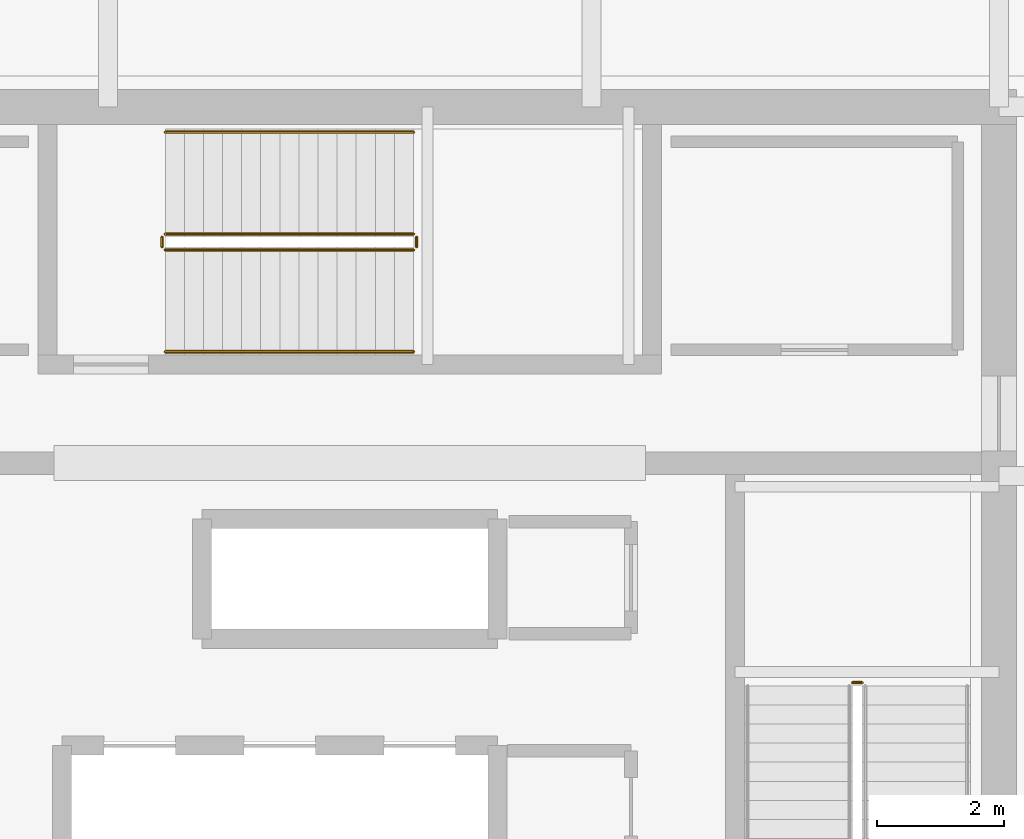
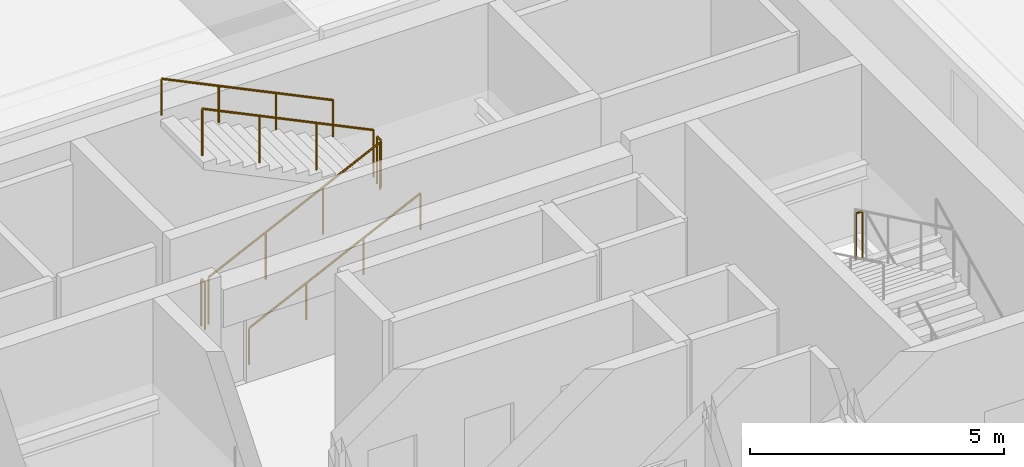
# One storey, part 45 of 51: 7 railings.
"""IFC4 building model written with IfcOpenShell, lengths in metres."""

from ifc_helpers import new_model, si_unit, direction, frame, origin, origin_2d, place, context, subcontext, project, spatial, circle, extrude, material, type_object, element, save


model = new_model("IFC4")

# Units and contexts
model_context = context("Model", 3, precision=1e-05, world=origin(), true_north=direction((0.0, 1.0)))
body_context = subcontext(model_context, "Body", "Model", "MODEL_VIEW")
ifc_project = project(units=[si_unit("LENGTHUNIT", "METRE"), si_unit("AREAUNIT", "SQUARE_METRE"), si_unit("VOLUMEUNIT", "CUBIC_METRE"), si_unit("PLANEANGLEUNIT", "RADIAN"), si_unit("MASSUNIT", "GRAM", prefix="KILO")], contexts=[model_context])

# Site, building, storey
site_placement = place(None, origin())
site = spatial("IfcSite", under=ifc_project, at=site_placement, CompositionType="ELEMENT")
building_placement = place(site_placement, origin())
building = spatial("IfcBuilding", under=site, at=building_placement, Name="Punatoya Terracotta Tower", CompositionType="ELEMENT")
storey_placement = place(building_placement, frame((0.0, 0.0, 279.75)))
storey = spatial("IfcBuildingStorey", under=building, at=storey_placement, Name="L66", CompositionType="ELEMENT", Elevation=279.75)

# Railings
ifc_material = material(Name="Steel S355", Category="steel")
railing_type_1 = type_object("IfcRailingType", Name="RLG-GRD-1150", PredefinedType="GUARDRAIL", material=ifc_material)
railing_1_placement = place(storey_placement, frame((8.050048828125, 0.14990234375, 2.02490234375)))
element("IfcRailing", 1, at=railing_1_placement, inside=storey, type_object=railing_type_1, Name="L66 ST-2 stair guard 2", PredefinedType="GUARDRAIL", context=body_context, shape_type="SweptSolid", body=[
    extrude(circle(Radius=0.02392578125, at=origin_2d()), frame((0.0, 0.0, 1.1259765625), z_axis=(-1.0, 0.0, 0.0), x_axis=(0.0, -1.0, 0.0)), (0.0, 0.0, 1.0), 0.150146484375),
    extrude(circle(Radius=0.02099609375, at=origin_2d()), origin(), (0.0, 0.0, 1.0), 1.101806640625),
    extrude(circle(Radius=0.02099609375, at=origin_2d()), frame((-0.150146484375, 0.0, 0.0)), (0.0, 0.0, 1.0), 1.101806640625),
])
railing_2_placement = place(storey_placement, frame((-2.89990234375, 6.949951171875, 0.14453125)))
element("IfcRailing", 2, at=railing_2_placement, inside=storey, type_object=railing_type_1, Name="L66 ST-3 stair guard 1", PredefinedType="GUARDRAIL", context=body_context, shape_type="SweptSolid", body=[
    extrude(circle(Radius=0.02392578125, at=origin_2d()), frame((0.0, 0.0, 1.1259765625), z_axis=(0.900763166376, 0.0, 0.434310623978), x_axis=(0.0, 1.0, 0.0)), (0.0, 0.0, 1.0), 4.32958984375),
    extrude(circle(Radius=0.02099609375, at=origin_2d()), origin(), (0.0, 0.0, 1.0), 1.101806640625),
    extrude(circle(Radius=0.02099609375, at=origin_2d()), frame((1.300048828125, 0.0, 0.626708984375)), (0.0, 0.0, 1.0), 1.101806640625),
    extrude(circle(Radius=0.02099609375, at=origin_2d()), frame((2.599853515625, 0.0, 1.253662109375)), (0.0, 0.0, 1.0), 1.101806640625),
    extrude(circle(Radius=0.02099609375, at=origin_2d()), frame((3.89990234375, 0.0, 1.88037109375)), (0.0, 0.0, 1.0), 1.101806640625),
])
railing_3_placement = place(storey_placement, frame((1.050048828125, 7.0, 2.02490234375)))
element("IfcRailing", 3, at=railing_3_placement, inside=storey, type_object=railing_type_1, Name="L66 ST-3 stair guard 2", PredefinedType="GUARDRAIL", context=body_context, shape_type="SweptSolid", body=[
    extrude(circle(Radius=0.02392578125, at=origin_2d()), frame((0.0, 0.0, 1.1259765625), z_axis=(0.0, 1.0, 0.0), x_axis=(-1.0, 0.0, 0.0)), (0.0, 0.0, 1.0), 0.14990234375),
    extrude(circle(Radius=0.02099609375, at=origin_2d()), origin(), (0.0, 0.0, 1.0), 1.101806640625),
    extrude(circle(Radius=0.02099609375, at=origin_2d()), frame((0.0, 0.14990234375, 0.0)), (0.0, 0.0, 1.0), 1.101806640625),
])
railing_4_placement = place(storey_placement, frame((1.0, 7.199951171875, 2.169677734375)))
element("IfcRailing", 4, at=railing_4_placement, inside=storey, type_object=railing_type_1, Name="L66 ST-3 stair guard 3", PredefinedType="GUARDRAIL", context=body_context, shape_type="SweptSolid", body=[
    extrude(circle(Radius=0.02392578125, at=origin_2d()), frame((0.0, 0.0, 1.1259765625), z_axis=(-0.900763166376, 0.0, 0.434310623978), x_axis=(0.0, -1.0, 0.0)), (0.0, 0.0, 1.0), 4.32958984375),
    extrude(circle(Radius=0.02099609375, at=origin_2d()), origin(), (0.0, 0.0, 1.0), 1.101806640625),
    extrude(circle(Radius=0.02099609375, at=origin_2d()), frame((-1.300048828125, 0.0, 0.626708984375)), (0.0, 0.0, 1.0), 1.101806640625),
    extrude(circle(Radius=0.02099609375, at=origin_2d()), frame((-2.599853515625, 0.0, 1.253662109375)), (0.0, 0.0, 1.0), 1.101806640625),
    extrude(circle(Radius=0.02099609375, at=origin_2d()), frame((-3.89990234375, 0.0, 1.88037109375)), (0.0, 0.0, 1.0), 1.101806640625),
])
railing_5_placement = place(storey_placement, frame((-2.949951171875, 7.0, 0.0)))
element("IfcRailing", 5, at=railing_5_placement, inside=storey, type_object=railing_type_1, Name="L66 ST-3 stair guard 4", PredefinedType="GUARDRAIL", context=body_context, shape_type="SweptSolid", body=[
    extrude(circle(Radius=0.02392578125, at=origin_2d()), frame((0.0, 0.0, 1.1259765625), z_axis=(0.0, 1.0, 0.0), x_axis=(-1.0, 0.0, 0.0)), (0.0, 0.0, 1.0), 0.14990234375),
    extrude(circle(Radius=0.02099609375, at=origin_2d()), origin(), (0.0, 0.0, 1.0), 1.101806640625),
    extrude(circle(Radius=0.02099609375, at=origin_2d()), frame((0.0, 0.14990234375, 0.0)), (0.0, 0.0, 1.0), 1.101806640625),
])
railing_type_2 = type_object("IfcRailingType", Name="RLG-HND-900", PredefinedType="HANDRAIL", material=ifc_material)
railing_6_placement = place(storey_placement, frame((-2.89990234375, 5.35009765625, 0.14453125)))
element("IfcRailing", 6, at=railing_6_placement, inside=storey, type_object=railing_type_2, Name="L66 ST-3 stair handrail 1", PredefinedType="HANDRAIL", context=body_context, shape_type="SweptSolid", body=[
    extrude(circle(Radius=0.02392578125, at=origin_2d()), frame((0.0, 0.0, 0.8759765625), z_axis=(0.900763166376, 0.0, 0.434310623978), x_axis=(0.0, 1.0, 0.0)), (0.0, 0.0, 1.0), 4.32958984375),
    extrude(circle(Radius=0.02099609375, at=origin_2d()), origin(), (0.0, 0.0, 1.0), 0.851806640625),
    extrude(circle(Radius=0.02099609375, at=origin_2d()), frame((1.300048828125, 0.0, 0.626708984375)), (0.0, 0.0, 1.0), 0.851806640625),
    extrude(circle(Radius=0.02099609375, at=origin_2d()), frame((2.599853515625, 0.0, 1.253662109375)), (0.0, 0.0, 1.0), 0.851806640625),
    extrude(circle(Radius=0.02099609375, at=origin_2d()), frame((3.89990234375, 0.0, 1.88037109375)), (0.0, 0.0, 1.0), 0.851806640625),
])
railing_7_placement = place(storey_placement, frame((1.0, 8.800048828125, 2.169677734375)))
element("IfcRailing", 7, at=railing_7_placement, inside=storey, type_object=railing_type_2, Name="L66 ST-3 stair handrail 2", PredefinedType="HANDRAIL", context=body_context, shape_type="SweptSolid", body=[
    extrude(circle(Radius=0.02392578125, at=origin_2d()), frame((0.0, 0.0, 0.8759765625), z_axis=(-0.900763166376, 0.0, 0.434310623978), x_axis=(0.0, -1.0, 0.0)), (0.0, 0.0, 1.0), 4.32958984375),
    extrude(circle(Radius=0.02099609375, at=origin_2d()), origin(), (0.0, 0.0, 1.0), 0.851806640625),
    extrude(circle(Radius=0.02099609375, at=origin_2d()), frame((-1.300048828125, 0.0, 0.626708984375)), (0.0, 0.0, 1.0), 0.851806640625),
    extrude(circle(Radius=0.02099609375, at=origin_2d()), frame((-2.599853515625, 0.0, 1.253662109375)), (0.0, 0.0, 1.0), 0.851806640625),
    extrude(circle(Radius=0.02099609375, at=origin_2d()), frame((-3.89990234375, 0.0, 1.88037109375)), (0.0, 0.0, 1.0), 0.851806640625),
])

save(model, "model.ifc")
